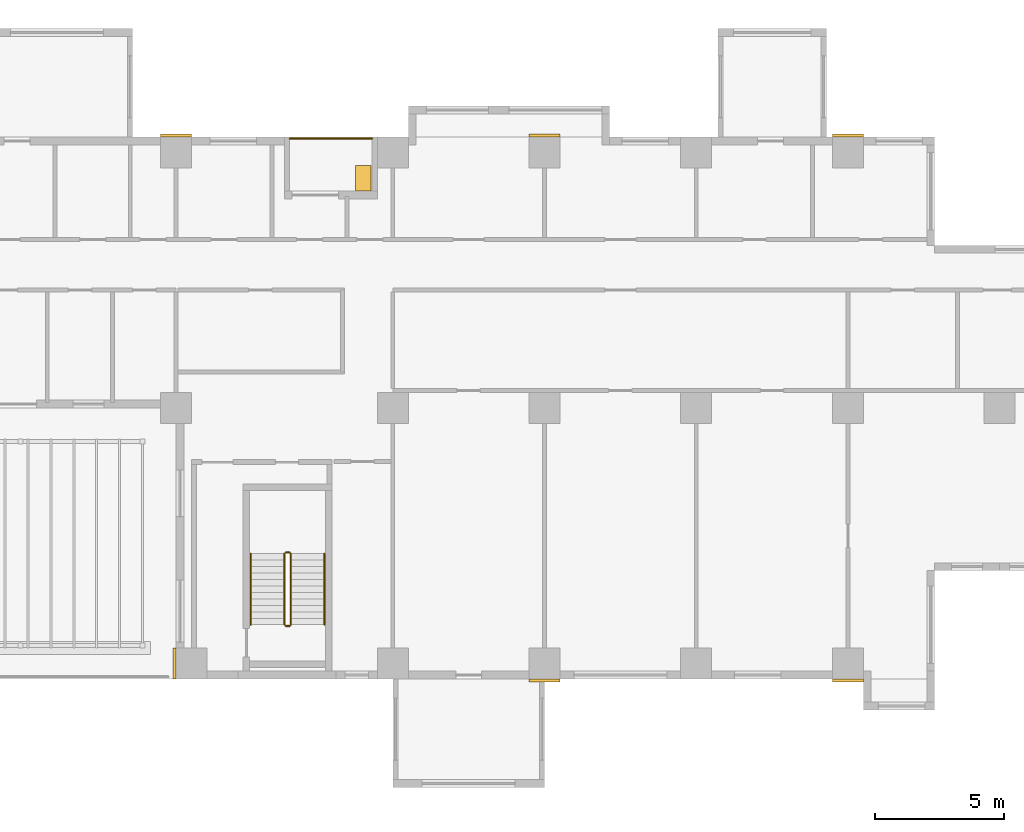
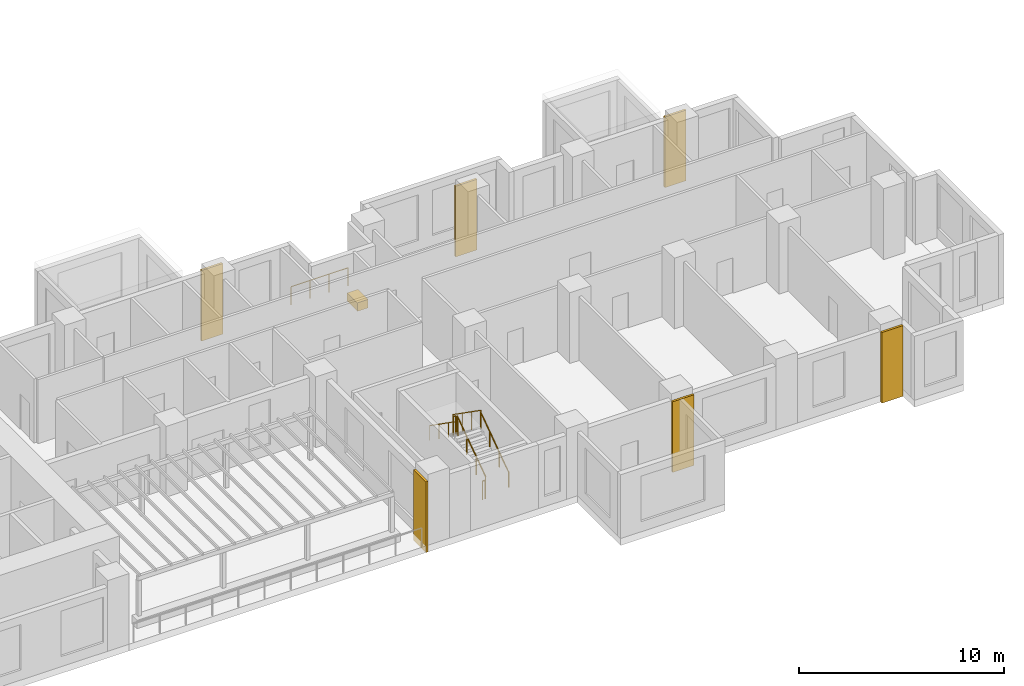
# One storey, part 15 of 16: 7 coverings, 7 railings.
"""IFC4 building model written with IfcOpenShell, lengths in metres."""

from ifc_helpers import new_model, si_unit, direction, frame, origin, origin_2d, place, context, subcontext, project, spatial, rectangle, circle, extrude, source, transform, mapped, material, type_object, element, save


model = new_model("IFC4")

# Units and contexts
model_context = context("Model", 3, precision=1e-05, world=origin(), true_north=direction((0.0, 1.0)))
body_context = subcontext(model_context, "Body", "Model", "MODEL_VIEW")
ifc_project = project(units=[si_unit("LENGTHUNIT", "METRE"), si_unit("AREAUNIT", "SQUARE_METRE"), si_unit("VOLUMEUNIT", "CUBIC_METRE"), si_unit("PLANEANGLEUNIT", "RADIAN"), si_unit("MASSUNIT", "GRAM", prefix="KILO")], contexts=[model_context])

# Site, building, storey
site_placement = place(None, origin())
site = spatial("IfcSite", under=ifc_project, at=site_placement, CompositionType="ELEMENT")
building_placement = place(site_placement, origin())
building = spatial("IfcBuilding", under=site, at=building_placement, Name="Aurelian Terraces", CompositionType="ELEMENT")
storey_placement = place(building_placement, frame((0.0, 0.0, 95.1)))
storey = spatial("IfcBuildingStorey", under=building, at=storey_placement, Name="L20", CompositionType="ELEMENT", Elevation=95.1)

# Coverings
ifc_material_1 = material(Name="Terracotta rainscreen cladding relief", Category="masonry")
covering_type_1 = type_object("IfcCoveringType", Name="BAGUETTE-TC", PredefinedType="CLADDING", material=ifc_material_1)
shared_shape_1 = source(origin(), body_context, "Body", "SweptSolid", [
    extrude(rectangle(XDim=1.2, YDim=0.12, at=origin_2d()), origin(), (0.0, 0.0, 1.0), 4.2),
])
for number, where, z_axis, x_axis, name in (
    (1, (52.08, -0.06, -0.4), (0.0, 0.0, 1.0), (1.0, 0.0, 0.0), "BAGUETTE pier L20 3"),
    (2, (63.84, -0.06, -0.4), (0.0, 0.0, 1.0), (1.0, 0.0, 0.0), "BAGUETTE pier L20 4"),
    (3, (37.8, 21.06, -0.4), (0.0, 0.0, 1.0), (1.0, 0.0, 0.0), "BAGUETTE pier L20 5"),
    (4, (52.08, 21.06, -0.4), (0.0, 0.0, 1.0), (1.0, 0.0, 0.0), "BAGUETTE pier L20 6"),
    (5, (63.84, 21.06, -0.4), (0.0, 0.0, 1.0), (1.0, 0.0, 0.0), "BAGUETTE pier L20 7"),
):
    element("IfcCovering", number, at=place(storey_placement, frame(where, z_axis=z_axis, x_axis=x_axis)), inside=storey, type_object=covering_type_1, Name=name, PredefinedType="CLADDING", context=body_context, shape_type="MappedRepresentation", body=[
        mapped(shared_shape_1, transform((0.0, 0.0, 0.0), scale=1.0)),
    ])
shared_shape_2 = source(origin(), body_context, "Body", "SweptSolid", [
    extrude(rectangle(XDim=0.12, YDim=1.2, at=origin_2d()), origin(), (0.0, 0.0, 1.0), 4.2),
])
covering_1_placement = place(storey_placement, frame((37.74, 0.6, -0.4), z_axis=(0.0, 0.0, 1.0), x_axis=(1.0, 0.0, 0.0)))
element("IfcCovering", 6, at=covering_1_placement, inside=storey, type_object=covering_type_1, Name="BAGUETTE pier L20 2", PredefinedType="CLADDING", context=body_context, shape_type="MappedRepresentation", body=[
    mapped(shared_shape_2, transform((0.0, 0.0, 0.0), scale=1.0)),
])

# Railing
ifc_material_2 = material(Name="Anodised aluminium", Category="aluminium")
railing_type_1 = type_object("IfcRailingType", Name="GUARD-1100", PredefinedType="GUARDRAIL", material=ifc_material_2)
shared_shape_3 = source(origin(), body_context, "Body", "SweptSolid", [
    extrude(circle(Radius=0.024, at=origin_2d()), frame((0.0, 0.0, 1.076), z_axis=(-1.0, 0.0, 0.0), x_axis=(0.0, -1.0, 0.0)), (0.0, 0.0, 1.0), 3.2),
    extrude(circle(Radius=0.021, at=origin_2d()), origin(), (0.0, 0.0, 1.0), 1.052),
    extrude(circle(Radius=0.021, at=origin_2d()), frame((-1.0667, 0.0, 0.0)), (0.0, 0.0, 1.0), 1.052),
    extrude(circle(Radius=0.021, at=origin_2d()), frame((-2.1333, 0.0, 0.0)), (0.0, 0.0, 1.0), 1.052),
    extrude(circle(Radius=0.021, at=origin_2d()), frame((-3.2, 0.0, 0.0)), (0.0, 0.0, 1.0), 1.052),
])
railing_1_placement = place(storey_placement, frame((45.4, 20.94, 0.05)))
element("IfcRailing", 7, at=railing_1_placement, inside=storey, type_object=railing_type_1, Name="Loggia guard L20 F11.23", PredefinedType="GUARDRAIL", context=body_context, shape_type="MappedRepresentation", body=[
    mapped(shared_shape_3, transform((0.0, 0.0, 0.0), scale=1.0)),
])

# Covering
ifc_material_3 = material(Name="Terracotta planter with planting soil", Category="masonry")
covering_type_2 = type_object("IfcCoveringType", Name="PLANTER-TROUGH", PredefinedType="USERDEFINED", material=ifc_material_3)
shared_shape_4 = source(origin(), body_context, "Body", "SweptSolid", [
    extrude(rectangle(XDim=0.6, YDim=1.0, at=origin_2d()), origin(), (0.0, 0.0, 1.0), 0.5),
])
covering_2_placement = place(storey_placement, frame((45.05, 19.4, 0.0), z_axis=(0.0, 0.0, 1.0), x_axis=(1.0, 0.0, 0.0)))
element("IfcCovering", 8, at=covering_2_placement, inside=storey, type_object=covering_type_2, Name="PLANTER L20 L20-F11-23", ObjectType="PLANTER", PredefinedType="USERDEFINED", context=body_context, shape_type="MappedRepresentation", body=[
    mapped(shared_shape_4, transform((0.0, 0.0, 0.0), scale=1.0)),
])

# Railings
ifc_material_4 = material(Name="Stainless steel", Category="steel")
railing_type_2 = type_object("IfcRailingType", Name="Stair guard 1100", PredefinedType="GUARDRAIL", material=ifc_material_4)
shared_shape_5 = source(origin(), body_context, "Body", "SweptSolid", [
    extrude(circle(Radius=0.024, at=origin_2d()), frame((0.0, 0.0, 1.076), z_axis=(-1.0, 0.0, 0.0), x_axis=(0.0, -1.0, 0.0)), (0.0, 0.0, 1.0), 0.15),
    extrude(circle(Radius=0.021, at=origin_2d()), origin(), (0.0, 0.0, 1.0), 1.052),
    extrude(circle(Radius=0.021, at=origin_2d()), frame((-0.15, 0.0, 0.0)), (0.0, 0.0, 1.0), 1.052),
])
for number, where, name in (
    (9, (42.2, 4.9, 2.1), "L20 S2 stair guard 2"),
    (10, (42.2, 2.05, 0.0), "L20 S2 stair guard 4"),
):
    element("IfcRailing", number, at=place(storey_placement, frame(where)), inside=storey, type_object=railing_type_2, Name=name, PredefinedType="GUARDRAIL", context=body_context, shape_type="MappedRepresentation", body=[
        mapped(shared_shape_5, transform((0.0, 0.0, 0.0), scale=1.0)),
    ])
shared_shape_6 = source(origin(), body_context, "Body", "SweptSolid", [
    extrude(circle(Radius=0.024, at=origin_2d()), frame((0.0, 0.0, 1.076), z_axis=(0.0, 0.819231920519, 0.573462344363), x_axis=(-1.0, 0.0, 0.0)), (0.0, 0.0, 1.0), 3.3568),
    extrude(circle(Radius=0.021, at=origin_2d()), origin(), (0.0, 0.0, 1.0), 1.052),
    extrude(circle(Radius=0.021, at=origin_2d()), frame((0.0, 0.9167, 0.6417)), (0.0, 0.0, 1.0), 1.052),
    extrude(circle(Radius=0.021, at=origin_2d()), frame((0.0, 1.8333, 1.2833)), (0.0, 0.0, 1.0), 1.052),
    extrude(circle(Radius=0.021, at=origin_2d()), frame((0.0, 2.75, 1.925)), (0.0, 0.0, 1.0), 1.052),
])
railing_2_placement = place(storey_placement, frame((42.25, 2.1, 0.175)))
element("IfcRailing", 11, at=railing_2_placement, inside=storey, type_object=railing_type_2, Name="L20 S2 stair guard 1", PredefinedType="GUARDRAIL", context=body_context, shape_type="MappedRepresentation", body=[
    mapped(shared_shape_6, transform((0.0, 0.0, 0.0), scale=1.0)),
])
shared_shape_7 = source(origin(), body_context, "Body", "SweptSolid", [
    extrude(circle(Radius=0.024, at=origin_2d()), frame((0.0, 0.0, 1.076), z_axis=(0.0, -0.819231920519, 0.573462344363), x_axis=(1.0, 0.0, 0.0)), (0.0, 0.0, 1.0), 3.3568),
    extrude(circle(Radius=0.021, at=origin_2d()), origin(), (0.0, 0.0, 1.0), 1.052),
    extrude(circle(Radius=0.021, at=origin_2d()), frame((0.0, -0.9167, 0.6417)), (0.0, 0.0, 1.0), 1.052),
    extrude(circle(Radius=0.021, at=origin_2d()), frame((0.0, -1.8333, 1.2833)), (0.0, 0.0, 1.0), 1.052),
    extrude(circle(Radius=0.021, at=origin_2d()), frame((0.0, -2.75, 1.925)), (0.0, 0.0, 1.0), 1.052),
])
railing_3_placement = place(storey_placement, frame((42.0, 4.85, 2.275)))
element("IfcRailing", 12, at=railing_3_placement, inside=storey, type_object=railing_type_2, Name="L20 S2 stair guard 3", PredefinedType="GUARDRAIL", context=body_context, shape_type="MappedRepresentation", body=[
    mapped(shared_shape_7, transform((0.0, 0.0, 0.0), scale=1.0)),
])
railing_type_3 = type_object("IfcRailingType", Name="Stair handrail", PredefinedType="HANDRAIL", material=ifc_material_4)
shared_shape_8 = source(origin(), body_context, "Body", "SweptSolid", [
    extrude(circle(Radius=0.024, at=origin_2d()), frame((0.0, 0.0, 0.876), z_axis=(0.0, 0.819231920519, 0.573462344363), x_axis=(-1.0, 0.0, 0.0)), (0.0, 0.0, 1.0), 3.3568),
    extrude(circle(Radius=0.021, at=origin_2d()), origin(), (0.0, 0.0, 1.0), 0.852),
    extrude(circle(Radius=0.021, at=origin_2d()), frame((0.0, 0.9167, 0.6417)), (0.0, 0.0, 1.0), 0.852),
    extrude(circle(Radius=0.021, at=origin_2d()), frame((0.0, 1.8333, 1.2833)), (0.0, 0.0, 1.0), 0.852),
    extrude(circle(Radius=0.021, at=origin_2d()), frame((0.0, 2.75, 1.925)), (0.0, 0.0, 1.0), 0.852),
])
railing_4_placement = place(storey_placement, frame((43.55, 2.1, 0.175)))
element("IfcRailing", 13, at=railing_4_placement, inside=storey, type_object=railing_type_3, Name="L20 S2 stair handrail 1", PredefinedType="HANDRAIL", context=body_context, shape_type="MappedRepresentation", body=[
    mapped(shared_shape_8, transform((0.0, 0.0, 0.0), scale=1.0)),
])
shared_shape_9 = source(origin(), body_context, "Body", "SweptSolid", [
    extrude(circle(Radius=0.024, at=origin_2d()), frame((0.0, 0.0, 0.876), z_axis=(0.0, -0.819231920519, 0.573462344363), x_axis=(1.0, 0.0, 0.0)), (0.0, 0.0, 1.0), 3.3568),
    extrude(circle(Radius=0.021, at=origin_2d()), origin(), (0.0, 0.0, 1.0), 0.852),
    extrude(circle(Radius=0.021, at=origin_2d()), frame((0.0, -0.9167, 0.6417)), (0.0, 0.0, 1.0), 0.852),
    extrude(circle(Radius=0.021, at=origin_2d()), frame((0.0, -1.8333, 1.2833)), (0.0, 0.0, 1.0), 0.852),
    extrude(circle(Radius=0.021, at=origin_2d()), frame((0.0, -2.75, 1.925)), (0.0, 0.0, 1.0), 0.852),
])
railing_5_placement = place(storey_placement, frame((40.7, 4.85, 2.275)))
element("IfcRailing", 14, at=railing_5_placement, inside=storey, type_object=railing_type_3, Name="L20 S2 stair handrail 2", PredefinedType="HANDRAIL", context=body_context, shape_type="MappedRepresentation", body=[
    mapped(shared_shape_9, transform((0.0, 0.0, 0.0), scale=1.0)),
])

save(model, "model.ifc")
